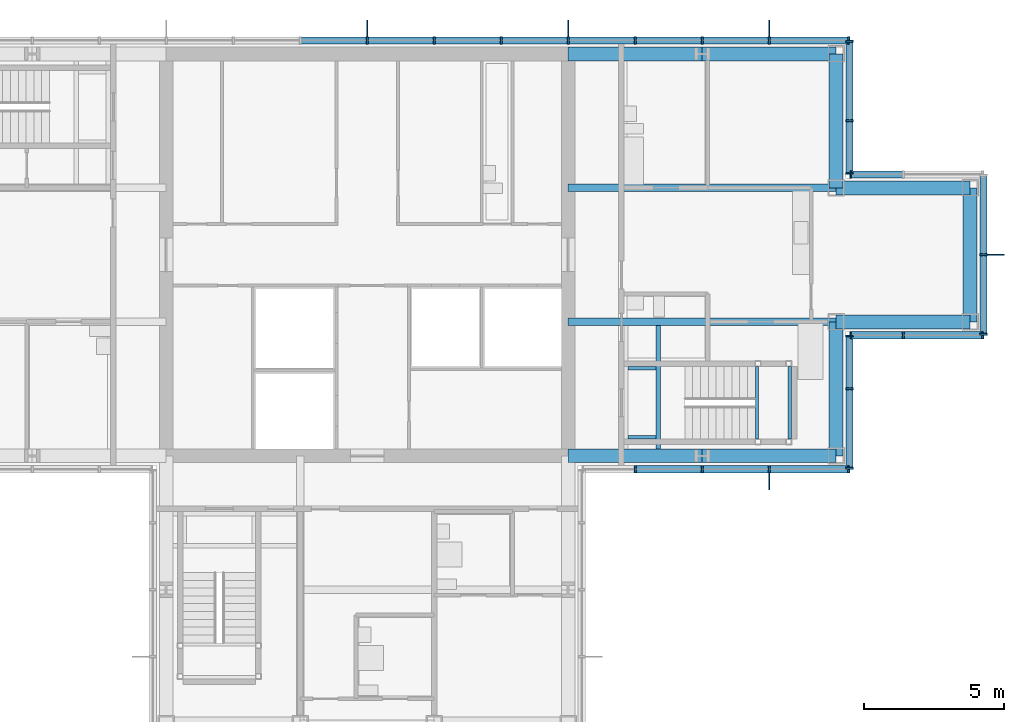
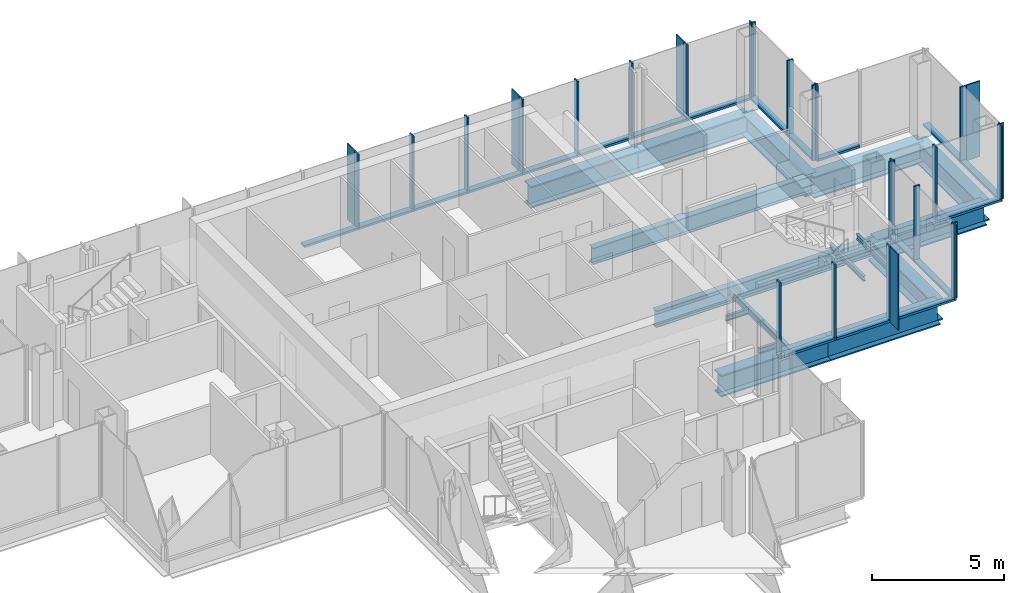
# One storey, part 7 of 15: 49 members, 16 beams, 7 elements without a shape of their own.
"""IFC4 building model written with IfcOpenShell, lengths in metres."""

from ifc_helpers import new_model, si_unit, direction, frame, origin, origin_2d, place, context, subcontext, project, spatial, rectangle, i_section, extrude, material, material_profile, profile_set, type_object, element, aggregate, save


model = new_model("IFC4")

# Units and contexts
model_context = context("Model", 3, precision=1e-05, world=origin(), true_north=direction((0.0, 1.0)))
body_context = subcontext(model_context, "Body", "Model", "MODEL_VIEW")
ifc_project = project(units=[si_unit("LENGTHUNIT", "METRE"), si_unit("AREAUNIT", "SQUARE_METRE"), si_unit("VOLUMEUNIT", "CUBIC_METRE"), si_unit("PLANEANGLEUNIT", "RADIAN"), si_unit("MASSUNIT", "GRAM", prefix="KILO")], contexts=[model_context])

# Site, building, storey
site_placement = place(None, origin())
site = spatial("IfcSite", under=ifc_project, at=site_placement, CompositionType="ELEMENT")
building_placement = place(site_placement, origin())
building = spatial("IfcBuilding", under=site, at=building_placement, Name="Kvirike Care Tower", CompositionType="ELEMENT")
storey_placement = place(building_placement, frame((0.0, 0.0, 240.0)))
storey = spatial("IfcBuildingStorey", under=building, at=storey_placement, Name="L66", CompositionType="ELEMENT", Elevation=240.0)

# Curtain wall, member
ifc_material_1 = material(Name="Anodised aluminium stick system", Category="aluminium")
curtain_wall_type = type_object("IfcCurtainWallType", Name="CW-D STICK CURTAIN WALL", PredefinedType="NOTDEFINED", material=ifc_material_1)
curtain_wall_1_placement = place(storey_placement, origin())
curtain_wall_1 = element("IfcCurtainWall", 1, at=curtain_wall_1_placement, inside=storey, type_object=curtain_wall_type, Name="Curtain wall L66 face 1", PredefinedType="NOTDEFINED")
ifc_material_2 = material(Name="Bronze anodised aluminium fin", Category="aluminium")
ifc_material_profile_1 = material_profile(ifc_material_2, rectangle(XDim=0.050048828125, YDim=0.60009765625, at=origin_2d()), Name="BRONZE FIN 600")
ifc_profile_set_1 = profile_set([ifc_material_profile_1], Name="Bronze anodised aluminium fin")
member_type_1 = type_object("IfcMemberType", Name="BRONZE FIN 600", PredefinedType="USERDEFINED", material=ifc_profile_set_1)
member_1_placement = place(storey_placement, frame((36.0, 27.889892578125, 0.0), z_axis=(0.0, 0.0, 1.0), x_axis=(1.0, 0.0, 0.0)))
member_1 = element("IfcMember", 2, at=member_1_placement, type_object=member_type_1, Name="Bronze fin L66 face 1.4", ObjectType="FIN", PredefinedType="USERDEFINED", context=body_context, shape_type="SweptSolid", body=[
    extrude(rectangle(XDim=0.050048828125, YDim=0.60009765625, at=origin_2d()), origin(), (0.0, 0.0, 1.0), 3.5),
])

curtain_wall_2_placement = place(storey_placement, origin())
curtain_wall_2 = element("IfcCurtainWall", 3, at=curtain_wall_2_placement, inside=storey, type_object=curtain_wall_type, Name="Curtain wall L66 face 4", PredefinedType="NOTDEFINED")
member_2_placement = place(storey_placement, frame((44.110107421875, 36.0, 0.0), z_axis=(0.0, 0.0, 1.0), x_axis=(0.0, 1.0, 0.0)))
member_2 = element("IfcMember", 4, at=member_2_placement, type_object=member_type_1, Name="Bronze fin L66 face 4.2", ObjectType="FIN", PredefinedType="USERDEFINED", context=body_context, shape_type="SweptSolid", body=[
    extrude(rectangle(XDim=0.050048828125, YDim=0.60009765625, at=origin_2d()), origin(), (0.0, 0.0, 1.0), 3.5),
])

# Curtain wall, members
curtain_wall_3_placement = place(storey_placement, origin())
curtain_wall_3 = element("IfcCurtainWall", 5, at=curtain_wall_3_placement, inside=storey, type_object=curtain_wall_type, Name="Curtain wall L66 face 7", PredefinedType="NOTDEFINED")
member_3_placement = place(storey_placement, frame((36.0, 44.110107421875, 0.0), z_axis=(0.0, 0.0, 1.0), x_axis=(-1.0, 0.0, 0.0)))
member_3 = element("IfcMember", 6, at=member_3_placement, type_object=member_type_1, Name="Bronze fin L66 face 7.2", ObjectType="FIN", PredefinedType="USERDEFINED", context=body_context, shape_type="SweptSolid", body=[
    extrude(rectangle(XDim=0.050048828125, YDim=0.60009765625, at=origin_2d()), origin(), (0.0, 0.0, 1.0), 3.5),
])
member_4_placement = place(storey_placement, frame((28.800048828125, 44.110107421875, 0.0), z_axis=(0.0, 0.0, 1.0), x_axis=(-1.0, 0.0, 0.0)))
member_4 = element("IfcMember", 7, at=member_4_placement, type_object=member_type_1, Name="Bronze fin L66 face 7.5", ObjectType="FIN", PredefinedType="USERDEFINED", context=body_context, shape_type="SweptSolid", body=[
    extrude(rectangle(XDim=0.050048828125, YDim=0.60009765625, at=origin_2d()), origin(), (0.0, 0.0, 1.0), 3.5),
])
member_5_placement = place(storey_placement, frame((21.60009765625, 44.110107421875, 0.0), z_axis=(0.0, 0.0, 1.0), x_axis=(-1.0, 0.0, 0.0)))
member_5 = element("IfcMember", 8, at=member_5_placement, type_object=member_type_1, Name="Bronze fin L66 face 7.8", ObjectType="FIN", PredefinedType="USERDEFINED", context=body_context, shape_type="SweptSolid", body=[
    extrude(rectangle(XDim=0.050048828125, YDim=0.60009765625, at=origin_2d()), origin(), (0.0, 0.0, 1.0), 3.5),
])

# Member
ifc_material_3 = material(Name="Bronze anodised aluminium mullion", Category="aluminium")
ifc_material_profile_2 = material_profile(ifc_material_3, rectangle(XDim=0.06494140625, YDim=0.260009765625, at=origin_2d()), Name="CW-D MULLION 65x260")
ifc_profile_set_2 = profile_set([ifc_material_profile_2], Name="Bronze anodised aluminium mullion")
member_type_2 = type_object("IfcMemberType", Name="CW-D MULLION 65x260", PredefinedType="MULLION", material=ifc_profile_set_2)
member_6_placement = place(storey_placement, frame((31.199951171875, 28.320068359375, 0.0), z_axis=(0.0, 0.0, 1.0), x_axis=(1.0, 0.0, 0.0)))
member_6 = element("IfcMember", 9, at=member_6_placement, type_object=member_type_2, Name="CW-D mullion L66 face 1.2", PredefinedType="MULLION", context=body_context, shape_type="SweptSolid", body=[
    extrude(rectangle(XDim=0.06494140625, YDim=0.260009765625, at=origin_2d()), origin(), (0.0, 0.0, 1.0), 3.5),
])

member_7_placement = place(storey_placement, frame((33.60009765625, 28.320068359375, 0.0), z_axis=(0.0, 0.0, 1.0), x_axis=(1.0, 0.0, 0.0)))
member_7 = element("IfcMember", 10, at=member_7_placement, type_object=member_type_2, Name="CW-D mullion L66 face 1.3", PredefinedType="MULLION", context=body_context, shape_type="SweptSolid", body=[
    extrude(rectangle(XDim=0.06494140625, YDim=0.260009765625, at=origin_2d()), origin(), (0.0, 0.0, 1.0), 3.5),
])

member_8_placement = place(storey_placement, frame((36.0, 28.320068359375, 0.0), z_axis=(0.0, 0.0, 1.0), x_axis=(1.0, 0.0, 0.0)))
member_8 = element("IfcMember", 11, at=member_8_placement, type_object=member_type_2, Name="CW-D mullion L66 face 1.4", PredefinedType="MULLION", context=body_context, shape_type="SweptSolid", body=[
    extrude(rectangle(XDim=0.06494140625, YDim=0.260009765625, at=origin_2d()), origin(), (0.0, 0.0, 1.0), 3.5),
])

member_9_placement = place(storey_placement, frame((38.847412109375, 28.320068359375, 0.0), z_axis=(0.0, 0.0, 1.0), x_axis=(1.0, 0.0, 0.0)))
member_9 = element("IfcMember", 12, at=member_9_placement, type_object=member_type_2, Name="CW-D mullion L66 face 1.5", PredefinedType="MULLION", context=body_context, shape_type="SweptSolid", body=[
    extrude(rectangle(XDim=0.06494140625, YDim=0.260009765625, at=origin_2d()), origin(), (0.0, 0.0, 1.0), 3.5),
])

# Curtain wall, members
curtain_wall_4_placement = place(storey_placement, origin())
curtain_wall_4 = element("IfcCurtainWall", 13, at=curtain_wall_4_placement, inside=storey, type_object=curtain_wall_type, Name="Curtain wall L66 face 2", PredefinedType="NOTDEFINED")
member_10_placement = place(storey_placement, frame((38.8798828125, 28.3525390625, 0.0), z_axis=(0.0, 0.0, 1.0), x_axis=(0.0, 1.0, 0.0)))
member_10 = element("IfcMember", 14, at=member_10_placement, type_object=member_type_2, Name="CW-D mullion L66 face 2.1", PredefinedType="MULLION", context=body_context, shape_type="SweptSolid", body=[
    extrude(rectangle(XDim=0.06494140625, YDim=0.260009765625, at=origin_2d()), origin(), (0.0, 0.0, 1.0), 3.5),
])
member_11_placement = place(storey_placement, frame((38.8798828125, 31.199951171875, 0.0), z_axis=(0.0, 0.0, 1.0), x_axis=(0.0, 1.0, 0.0)))
member_11 = element("IfcMember", 15, at=member_11_placement, type_object=member_type_2, Name="CW-D mullion L66 face 2.2", PredefinedType="MULLION", context=body_context, shape_type="SweptSolid", body=[
    extrude(rectangle(XDim=0.06494140625, YDim=0.260009765625, at=origin_2d()), origin(), (0.0, 0.0, 1.0), 3.5),
])
member_12_placement = place(storey_placement, frame((38.8798828125, 33.08740234375, 0.0), z_axis=(0.0, 0.0, 1.0), x_axis=(0.0, 1.0, 0.0)))
member_12 = element("IfcMember", 16, at=member_12_placement, type_object=member_type_2, Name="CW-D mullion L66 face 2.3", PredefinedType="MULLION", context=body_context, shape_type="SweptSolid", body=[
    extrude(rectangle(XDim=0.06494140625, YDim=0.260009765625, at=origin_2d()), origin(), (0.0, 0.0, 1.0), 3.5),
])

curtain_wall_5_placement = place(storey_placement, origin())
curtain_wall_5 = element("IfcCurtainWall", 17, at=curtain_wall_5_placement, inside=storey, type_object=curtain_wall_type, Name="Curtain wall L66 face 3", PredefinedType="NOTDEFINED")
member_13_placement = place(storey_placement, frame((38.91259765625, 33.1201171875, 0.0), z_axis=(0.0, 0.0, 1.0), x_axis=(1.0, 0.0, 0.0)))
member_13 = element("IfcMember", 18, at=member_13_placement, type_object=member_type_2, Name="CW-D mullion L66 face 3.1", PredefinedType="MULLION", context=body_context, shape_type="SweptSolid", body=[
    extrude(rectangle(XDim=0.06494140625, YDim=0.260009765625, at=origin_2d()), origin(), (0.0, 0.0, 1.0), 3.5),
])
member_14_placement = place(storey_placement, frame((40.800048828125, 33.1201171875, 0.0), z_axis=(0.0, 0.0, 1.0), x_axis=(1.0, 0.0, 0.0)))
member_14 = element("IfcMember", 19, at=member_14_placement, type_object=member_type_2, Name="CW-D mullion L66 face 3.2", PredefinedType="MULLION", context=body_context, shape_type="SweptSolid", body=[
    extrude(rectangle(XDim=0.06494140625, YDim=0.260009765625, at=origin_2d()), origin(), (0.0, 0.0, 1.0), 3.5),
])
member_15_placement = place(storey_placement, frame((43.6474609375, 33.1201171875, 0.0), z_axis=(0.0, 0.0, 1.0), x_axis=(1.0, 0.0, 0.0)))
member_15 = element("IfcMember", 20, at=member_15_placement, type_object=member_type_2, Name="CW-D mullion L66 face 3.3", PredefinedType="MULLION", context=body_context, shape_type="SweptSolid", body=[
    extrude(rectangle(XDim=0.06494140625, YDim=0.260009765625, at=origin_2d()), origin(), (0.0, 0.0, 1.0), 3.5),
])

# Member
member_16_placement = place(storey_placement, frame((43.679931640625, 33.152587890625, 0.0), z_axis=(0.0, 0.0, 1.0), x_axis=(0.0, 1.0, 0.0)))
member_16 = element("IfcMember", 21, at=member_16_placement, type_object=member_type_2, Name="CW-D mullion L66 face 4.1", PredefinedType="MULLION", context=body_context, shape_type="SweptSolid", body=[
    extrude(rectangle(XDim=0.06494140625, YDim=0.260009765625, at=origin_2d()), origin(), (0.0, 0.0, 1.0), 3.5),
])

member_17_placement = place(storey_placement, frame((43.679931640625, 36.0, 0.0), z_axis=(0.0, 0.0, 1.0), x_axis=(0.0, 1.0, 0.0)))
member_17 = element("IfcMember", 22, at=member_17_placement, type_object=member_type_2, Name="CW-D mullion L66 face 4.2", PredefinedType="MULLION", context=body_context, shape_type="SweptSolid", body=[
    extrude(rectangle(XDim=0.06494140625, YDim=0.260009765625, at=origin_2d()), origin(), (0.0, 0.0, 1.0), 3.5),
])

# Curtain wall, member
curtain_wall_6_placement = place(storey_placement, origin())
curtain_wall_6 = element("IfcCurtainWall", 23, at=curtain_wall_6_placement, inside=storey, type_object=curtain_wall_type, Name="Curtain wall L66 face 5", PredefinedType="NOTDEFINED")
member_18_placement = place(storey_placement, frame((38.91259765625, 38.8798828125, 0.0), z_axis=(0.0, 0.0, 1.0), x_axis=(-1.0, 0.0, 0.0)))
member_18 = element("IfcMember", 24, at=member_18_placement, type_object=member_type_2, Name="CW-D mullion L66 face 5.3", PredefinedType="MULLION", context=body_context, shape_type="SweptSolid", body=[
    extrude(rectangle(XDim=0.06494140625, YDim=0.260009765625, at=origin_2d()), origin(), (0.0, 0.0, 1.0), 3.5),
])

# Curtain wall, members
curtain_wall_7_placement = place(storey_placement, origin())
curtain_wall_7 = element("IfcCurtainWall", 25, at=curtain_wall_7_placement, inside=storey, type_object=curtain_wall_type, Name="Curtain wall L66 face 6", PredefinedType="NOTDEFINED")
member_19_placement = place(storey_placement, frame((38.8798828125, 38.91259765625, 0.0), z_axis=(0.0, 0.0, 1.0), x_axis=(0.0, 1.0, 0.0)))
member_19 = element("IfcMember", 26, at=member_19_placement, type_object=member_type_2, Name="CW-D mullion L66 face 6.1", PredefinedType="MULLION", context=body_context, shape_type="SweptSolid", body=[
    extrude(rectangle(XDim=0.06494140625, YDim=0.260009765625, at=origin_2d()), origin(), (0.0, 0.0, 1.0), 3.5),
])
member_20_placement = place(storey_placement, frame((38.8798828125, 40.800048828125, 0.0), z_axis=(0.0, 0.0, 1.0), x_axis=(0.0, 1.0, 0.0)))
member_20 = element("IfcMember", 27, at=member_20_placement, type_object=member_type_2, Name="CW-D mullion L66 face 6.2", PredefinedType="MULLION", context=body_context, shape_type="SweptSolid", body=[
    extrude(rectangle(XDim=0.06494140625, YDim=0.260009765625, at=origin_2d()), origin(), (0.0, 0.0, 1.0), 3.5),
])
member_21_placement = place(storey_placement, frame((38.8798828125, 43.6474609375, 0.0), z_axis=(0.0, 0.0, 1.0), x_axis=(0.0, 1.0, 0.0)))
member_21 = element("IfcMember", 28, at=member_21_placement, type_object=member_type_2, Name="CW-D mullion L66 face 6.3", PredefinedType="MULLION", context=body_context, shape_type="SweptSolid", body=[
    extrude(rectangle(XDim=0.06494140625, YDim=0.260009765625, at=origin_2d()), origin(), (0.0, 0.0, 1.0), 3.5),
])

# Member
member_22_placement = place(storey_placement, frame((38.847412109375, 43.679931640625, 0.0), z_axis=(0.0, 0.0, 1.0), x_axis=(-1.0, 0.0, 0.0)))
member_22 = element("IfcMember", 29, at=member_22_placement, type_object=member_type_2, Name="CW-D mullion L66 face 7.1", PredefinedType="MULLION", context=body_context, shape_type="SweptSolid", body=[
    extrude(rectangle(XDim=0.06494140625, YDim=0.260009765625, at=origin_2d()), origin(), (0.0, 0.0, 1.0), 3.5),
])

member_23_placement = place(storey_placement, frame((36.0, 43.679931640625, 0.0), z_axis=(0.0, 0.0, 1.0), x_axis=(-1.0, 0.0, 0.0)))
member_23 = element("IfcMember", 30, at=member_23_placement, type_object=member_type_2, Name="CW-D mullion L66 face 7.2", PredefinedType="MULLION", context=body_context, shape_type="SweptSolid", body=[
    extrude(rectangle(XDim=0.06494140625, YDim=0.260009765625, at=origin_2d()), origin(), (0.0, 0.0, 1.0), 3.5),
])

member_24_placement = place(storey_placement, frame((33.60009765625, 43.679931640625, 0.0), z_axis=(0.0, 0.0, 1.0), x_axis=(-1.0, 0.0, 0.0)))
member_24 = element("IfcMember", 31, at=member_24_placement, type_object=member_type_2, Name="CW-D mullion L66 face 7.3", PredefinedType="MULLION", context=body_context, shape_type="SweptSolid", body=[
    extrude(rectangle(XDim=0.06494140625, YDim=0.260009765625, at=origin_2d()), origin(), (0.0, 0.0, 1.0), 3.5),
])

member_25_placement = place(storey_placement, frame((31.199951171875, 43.679931640625, 0.0), z_axis=(0.0, 0.0, 1.0), x_axis=(-1.0, 0.0, 0.0)))
member_25 = element("IfcMember", 32, at=member_25_placement, type_object=member_type_2, Name="CW-D mullion L66 face 7.4", PredefinedType="MULLION", context=body_context, shape_type="SweptSolid", body=[
    extrude(rectangle(XDim=0.06494140625, YDim=0.260009765625, at=origin_2d()), origin(), (0.0, 0.0, 1.0), 3.5),
])

member_26_placement = place(storey_placement, frame((28.800048828125, 43.679931640625, 0.0), z_axis=(0.0, 0.0, 1.0), x_axis=(-1.0, 0.0, 0.0)))
member_26 = element("IfcMember", 33, at=member_26_placement, type_object=member_type_2, Name="CW-D mullion L66 face 7.5", PredefinedType="MULLION", context=body_context, shape_type="SweptSolid", body=[
    extrude(rectangle(XDim=0.06494140625, YDim=0.260009765625, at=origin_2d()), origin(), (0.0, 0.0, 1.0), 3.5),
])

member_27_placement = place(storey_placement, frame((26.39990234375, 43.679931640625, 0.0), z_axis=(0.0, 0.0, 1.0), x_axis=(-1.0, 0.0, 0.0)))
member_27 = element("IfcMember", 34, at=member_27_placement, type_object=member_type_2, Name="CW-D mullion L66 face 7.6", PredefinedType="MULLION", context=body_context, shape_type="SweptSolid", body=[
    extrude(rectangle(XDim=0.06494140625, YDim=0.260009765625, at=origin_2d()), origin(), (0.0, 0.0, 1.0), 3.5),
])

member_28_placement = place(storey_placement, frame((24.0, 43.679931640625, 0.0), z_axis=(0.0, 0.0, 1.0), x_axis=(-1.0, 0.0, 0.0)))
member_28 = element("IfcMember", 35, at=member_28_placement, type_object=member_type_2, Name="CW-D mullion L66 face 7.7", PredefinedType="MULLION", context=body_context, shape_type="SweptSolid", body=[
    extrude(rectangle(XDim=0.06494140625, YDim=0.260009765625, at=origin_2d()), origin(), (0.0, 0.0, 1.0), 3.5),
])

member_29_placement = place(storey_placement, frame((21.60009765625, 43.679931640625, 0.0), z_axis=(0.0, 0.0, 1.0), x_axis=(-1.0, 0.0, 0.0)))
member_29 = element("IfcMember", 36, at=member_29_placement, type_object=member_type_2, Name="CW-D mullion L66 face 7.8", PredefinedType="MULLION", context=body_context, shape_type="SweptSolid", body=[
    extrude(rectangle(XDim=0.06494140625, YDim=0.260009765625, at=origin_2d()), origin(), (0.0, 0.0, 1.0), 3.5),
])

ifc_material_4 = material(Name="Bronze anodised aluminium transom", Category="aluminium")
ifc_material_profile_3 = material_profile(ifc_material_4, rectangle(XDim=0.260009765625, YDim=0.10009765625, at=origin_2d()), Name="CW-D TRANSOM 260x100")
ifc_profile_set_3 = profile_set([ifc_material_profile_3], Name="Bronze anodised aluminium transom")
member_type_3 = type_object("IfcMemberType", Name="CW-D TRANSOM 260x100", PredefinedType="USERDEFINED", material=ifc_profile_set_3)
member_30_placement = place(storey_placement, frame((31.232421875, 28.320068359375, 0.050048828125), z_axis=(1.0, 0.0, 0.0), x_axis=(0.0, 1.0, 0.0)))
member_30 = element("IfcMember", 37, at=member_30_placement, type_object=member_type_3, Name="CW-D sill transom L66 face 1.2", ObjectType="TRANSOM", PredefinedType="USERDEFINED", context=body_context, shape_type="SweptSolid", body=[
    extrude(rectangle(XDim=0.260009765625, YDim=0.10009765625, at=origin_2d()), origin(), (0.0, 0.0, 1.0), 2.3349609375),
])

member_31_placement = place(storey_placement, frame((33.632568359375, 28.320068359375, 0.050048828125), z_axis=(1.0, 0.0, 0.0), x_axis=(0.0, 1.0, 0.0)))
member_31 = element("IfcMember", 38, at=member_31_placement, type_object=member_type_3, Name="CW-D sill transom L66 face 1.3", ObjectType="TRANSOM", PredefinedType="USERDEFINED", context=body_context, shape_type="SweptSolid", body=[
    extrude(rectangle(XDim=0.260009765625, YDim=0.10009765625, at=origin_2d()), origin(), (0.0, 0.0, 1.0), 2.3349609375),
])

member_32_placement = place(storey_placement, frame((36.032470703125, 28.320068359375, 0.050048828125), z_axis=(1.0, 0.0, 0.0), x_axis=(0.0, 1.0, 0.0)))
member_32 = element("IfcMember", 39, at=member_32_placement, type_object=member_type_3, Name="CW-D sill transom L66 face 1.4", ObjectType="TRANSOM", PredefinedType="USERDEFINED", context=body_context, shape_type="SweptSolid", body=[
    extrude(rectangle(XDim=0.260009765625, YDim=0.10009765625, at=origin_2d()), origin(), (0.0, 0.0, 1.0), 2.782470703125),
])

aggregate(curtain_wall_1, [member_6, member_7, member_8, member_1, member_9, member_30, member_31, member_32])

member_33_placement = place(storey_placement, frame((38.8798828125, 28.385009765625, 0.050048828125), z_axis=(0.0, 1.0, 0.0), x_axis=(-1.0, 0.0, 0.0)))
member_33 = element("IfcMember", 40, at=member_33_placement, type_object=member_type_3, Name="CW-D sill transom L66 face 2.1", ObjectType="TRANSOM", PredefinedType="USERDEFINED", context=body_context, shape_type="SweptSolid", body=[
    extrude(rectangle(XDim=0.260009765625, YDim=0.10009765625, at=origin_2d()), origin(), (0.0, 0.0, 1.0), 2.782470703125),
])

member_34_placement = place(storey_placement, frame((38.8798828125, 31.232421875, 0.050048828125), z_axis=(0.0, 1.0, 0.0), x_axis=(-1.0, 0.0, 0.0)))
member_34 = element("IfcMember", 41, at=member_34_placement, type_object=member_type_3, Name="CW-D sill transom L66 face 2.2", ObjectType="TRANSOM", PredefinedType="USERDEFINED", context=body_context, shape_type="SweptSolid", body=[
    extrude(rectangle(XDim=0.260009765625, YDim=0.10009765625, at=origin_2d()), origin(), (0.0, 0.0, 1.0), 1.822509765625),
])

aggregate(curtain_wall_4, [member_10, member_11, member_12, member_33, member_34])

member_35_placement = place(storey_placement, frame((38.945068359375, 33.1201171875, 0.050048828125), z_axis=(1.0, 0.0, 0.0), x_axis=(0.0, 1.0, 0.0)))
member_35 = element("IfcMember", 42, at=member_35_placement, type_object=member_type_3, Name="CW-D sill transom L66 face 3.1", ObjectType="TRANSOM", PredefinedType="USERDEFINED", context=body_context, shape_type="SweptSolid", body=[
    extrude(rectangle(XDim=0.260009765625, YDim=0.10009765625, at=origin_2d()), origin(), (0.0, 0.0, 1.0), 1.822509765625),
])

member_36_placement = place(storey_placement, frame((40.83251953125, 33.1201171875, 0.050048828125), z_axis=(1.0, 0.0, 0.0), x_axis=(0.0, 1.0, 0.0)))
member_36 = element("IfcMember", 43, at=member_36_placement, type_object=member_type_3, Name="CW-D sill transom L66 face 3.2", ObjectType="TRANSOM", PredefinedType="USERDEFINED", context=body_context, shape_type="SweptSolid", body=[
    extrude(rectangle(XDim=0.260009765625, YDim=0.10009765625, at=origin_2d()), origin(), (0.0, 0.0, 1.0), 2.782470703125),
])

aggregate(curtain_wall_5, [member_13, member_14, member_15, member_35, member_36])

member_37_placement = place(storey_placement, frame((43.679931640625, 33.18505859375, 0.050048828125), z_axis=(0.0, 1.0, 0.0), x_axis=(-1.0, 0.0, 0.0)))
member_37 = element("IfcMember", 44, at=member_37_placement, type_object=member_type_3, Name="CW-D sill transom L66 face 4.1", ObjectType="TRANSOM", PredefinedType="USERDEFINED", context=body_context, shape_type="SweptSolid", body=[
    extrude(rectangle(XDim=0.260009765625, YDim=0.10009765625, at=origin_2d()), origin(), (0.0, 0.0, 1.0), 2.782470703125),
])

member_38_placement = place(storey_placement, frame((43.679931640625, 36.032470703125, 0.050048828125), z_axis=(0.0, 1.0, 0.0), x_axis=(-1.0, 0.0, 0.0)))
member_38 = element("IfcMember", 45, at=member_38_placement, type_object=member_type_3, Name="CW-D sill transom L66 face 4.2", ObjectType="TRANSOM", PredefinedType="USERDEFINED", context=body_context, shape_type="SweptSolid", body=[
    extrude(rectangle(XDim=0.260009765625, YDim=0.10009765625, at=origin_2d()), origin(), (0.0, 0.0, 1.0), 2.782470703125),
])

aggregate(curtain_wall_2, [member_16, member_17, member_2, member_37, member_38])

member_39_placement = place(storey_placement, frame((40.767578125, 38.8798828125, 0.050048828125), z_axis=(-1.0, 0.0, 0.0), x_axis=(0.0, -1.0, 0.0)))
member_39 = element("IfcMember", 46, at=member_39_placement, type_object=member_type_3, Name="CW-D sill transom L66 face 5.2", ObjectType="TRANSOM", PredefinedType="USERDEFINED", context=body_context, shape_type="SweptSolid", body=[
    extrude(rectangle(XDim=0.260009765625, YDim=0.10009765625, at=origin_2d()), origin(), (0.0, 0.0, 1.0), 1.822509765625),
])

aggregate(curtain_wall_6, [member_18, member_39])

member_40_placement = place(storey_placement, frame((38.8798828125, 38.945068359375, 0.050048828125), z_axis=(0.0, 1.0, 0.0), x_axis=(-1.0, 0.0, 0.0)))
member_40 = element("IfcMember", 47, at=member_40_placement, type_object=member_type_3, Name="CW-D sill transom L66 face 6.1", ObjectType="TRANSOM", PredefinedType="USERDEFINED", context=body_context, shape_type="SweptSolid", body=[
    extrude(rectangle(XDim=0.260009765625, YDim=0.10009765625, at=origin_2d()), origin(), (0.0, 0.0, 1.0), 1.822509765625),
])

member_41_placement = place(storey_placement, frame((38.8798828125, 40.83251953125, 0.050048828125), z_axis=(0.0, 1.0, 0.0), x_axis=(-1.0, 0.0, 0.0)))
member_41 = element("IfcMember", 48, at=member_41_placement, type_object=member_type_3, Name="CW-D sill transom L66 face 6.2", ObjectType="TRANSOM", PredefinedType="USERDEFINED", context=body_context, shape_type="SweptSolid", body=[
    extrude(rectangle(XDim=0.260009765625, YDim=0.10009765625, at=origin_2d()), origin(), (0.0, 0.0, 1.0), 2.782470703125),
])

aggregate(curtain_wall_7, [member_19, member_20, member_21, member_40, member_41])

member_42_placement = place(storey_placement, frame((38.81494140625, 43.679931640625, 0.050048828125), z_axis=(-1.0, 0.0, 0.0), x_axis=(0.0, -1.0, 0.0)))
member_42 = element("IfcMember", 49, at=member_42_placement, type_object=member_type_3, Name="CW-D sill transom L66 face 7.1", ObjectType="TRANSOM", PredefinedType="USERDEFINED", context=body_context, shape_type="SweptSolid", body=[
    extrude(rectangle(XDim=0.260009765625, YDim=0.10009765625, at=origin_2d()), origin(), (0.0, 0.0, 1.0), 2.782470703125),
])

member_43_placement = place(storey_placement, frame((35.967529296875, 43.679931640625, 0.050048828125), z_axis=(-1.0, 0.0, 0.0), x_axis=(0.0, -1.0, 0.0)))
member_43 = element("IfcMember", 50, at=member_43_placement, type_object=member_type_3, Name="CW-D sill transom L66 face 7.2", ObjectType="TRANSOM", PredefinedType="USERDEFINED", context=body_context, shape_type="SweptSolid", body=[
    extrude(rectangle(XDim=0.260009765625, YDim=0.10009765625, at=origin_2d()), origin(), (0.0, 0.0, 1.0), 2.3349609375),
])

member_44_placement = place(storey_placement, frame((33.5673828125, 43.679931640625, 0.050048828125), z_axis=(-1.0, 0.0, 0.0), x_axis=(0.0, -1.0, 0.0)))
member_44 = element("IfcMember", 51, at=member_44_placement, type_object=member_type_3, Name="CW-D sill transom L66 face 7.3", ObjectType="TRANSOM", PredefinedType="USERDEFINED", context=body_context, shape_type="SweptSolid", body=[
    extrude(rectangle(XDim=0.260009765625, YDim=0.10009765625, at=origin_2d()), origin(), (0.0, 0.0, 1.0), 2.3349609375),
])

member_45_placement = place(storey_placement, frame((31.16748046875, 43.679931640625, 0.050048828125), z_axis=(-1.0, 0.0, 0.0), x_axis=(0.0, -1.0, 0.0)))
member_45 = element("IfcMember", 52, at=member_45_placement, type_object=member_type_3, Name="CW-D sill transom L66 face 7.4", ObjectType="TRANSOM", PredefinedType="USERDEFINED", context=body_context, shape_type="SweptSolid", body=[
    extrude(rectangle(XDim=0.260009765625, YDim=0.10009765625, at=origin_2d()), origin(), (0.0, 0.0, 1.0), 2.3349609375),
])

member_46_placement = place(storey_placement, frame((28.767578125, 43.679931640625, 0.050048828125), z_axis=(-1.0, 0.0, 0.0), x_axis=(0.0, -1.0, 0.0)))
member_46 = element("IfcMember", 53, at=member_46_placement, type_object=member_type_3, Name="CW-D sill transom L66 face 7.5", ObjectType="TRANSOM", PredefinedType="USERDEFINED", context=body_context, shape_type="SweptSolid", body=[
    extrude(rectangle(XDim=0.260009765625, YDim=0.10009765625, at=origin_2d()), origin(), (0.0, 0.0, 1.0), 2.3349609375),
])

member_47_placement = place(storey_placement, frame((26.367431640625, 43.679931640625, 0.050048828125), z_axis=(-1.0, 0.0, 0.0), x_axis=(0.0, -1.0, 0.0)))
member_47 = element("IfcMember", 54, at=member_47_placement, type_object=member_type_3, Name="CW-D sill transom L66 face 7.6", ObjectType="TRANSOM", PredefinedType="USERDEFINED", context=body_context, shape_type="SweptSolid", body=[
    extrude(rectangle(XDim=0.260009765625, YDim=0.10009765625, at=origin_2d()), origin(), (0.0, 0.0, 1.0), 2.3349609375),
])

member_48_placement = place(storey_placement, frame((23.967529296875, 43.679931640625, 0.050048828125), z_axis=(-1.0, 0.0, 0.0), x_axis=(0.0, -1.0, 0.0)))
member_48 = element("IfcMember", 55, at=member_48_placement, type_object=member_type_3, Name="CW-D sill transom L66 face 7.7", ObjectType="TRANSOM", PredefinedType="USERDEFINED", context=body_context, shape_type="SweptSolid", body=[
    extrude(rectangle(XDim=0.260009765625, YDim=0.10009765625, at=origin_2d()), origin(), (0.0, 0.0, 1.0), 2.3349609375),
])

member_49_placement = place(storey_placement, frame((21.5673828125, 43.679931640625, 0.050048828125), z_axis=(-1.0, 0.0, 0.0), x_axis=(0.0, -1.0, 0.0)))
member_49 = element("IfcMember", 56, at=member_49_placement, type_object=member_type_3, Name="CW-D sill transom L66 face 7.8", ObjectType="TRANSOM", PredefinedType="USERDEFINED", context=body_context, shape_type="SweptSolid", body=[
    extrude(rectangle(XDim=0.260009765625, YDim=0.10009765625, at=origin_2d()), origin(), (0.0, 0.0, 1.0), 2.3349609375),
])

aggregate(curtain_wall_3, [member_22, member_23, member_3, member_24, member_25, member_26, member_4, member_27, member_28, member_29, member_5, member_42, member_43, member_44, member_45, member_46, member_47, member_48, member_49])

# Beams
ifc_material_5 = material(Name="Steel S355", Category="steel")
ifc_material_profile_4 = material_profile(ifc_material_5, i_section(OverallWidth=0.26806640625, OverallDepth=0.77001953125, WebThickness=0.015625, FlangeThickness=0.025390625, FilletRadius=0.01708984375, at=origin_2d()), Name="IPE 750x196")
ifc_profile_set_4 = profile_set([ifc_material_profile_4], Name="Steel S355")
beam_type_1 = type_object("IfcBeamType", Name="FLOOR BEAM IPE 750x196", PredefinedType="BEAM", material=ifc_profile_set_4)
for number, where, z_axis, x_axis, name in (
    (57, (28.800048828125, 33.60009765625, -0.554931640625), (1.0, 0.0, 0.0), (0.0, 1.0, 0.0), "Floor Beam H9-H11 L66"),
    (58, (28.800048828125, 38.39990234375, -0.554931640625), (1.0, 0.0, 0.0), (0.0, 1.0, 0.0), "Floor Beam J9-J11 L66"),
):
    element("IfcBeam", number, at=place(storey_placement, frame(where, z_axis=z_axis, x_axis=x_axis)), inside=storey, type_object=beam_type_1, Name=name, PredefinedType="BEAM", context=body_context, shape_type="SweptSolid", body=[
        extrude(i_section(OverallWidth=0.26806640625, OverallDepth=0.77001953125, WebThickness=0.015625, FlangeThickness=0.025390625, FilletRadius=0.01708984375, at=origin_2d()), origin(), (0.0, 0.0, 1.0), 9.599853515625),
    ])
ifc_material_6 = material(Name="Steel S355", Category="steel")
ifc_material_profile_5 = material_profile(ifc_material_6, i_section(OverallWidth=0.5, OverallDepth=1.0, WebThickness=0.030029296875, FlangeThickness=0.06005859375, at=origin_2d()), Name="PG 1000x500x30x60")
ifc_profile_set_5 = profile_set([ifc_material_profile_5], Name="Steel S355")
beam_type_2 = type_object("IfcBeamType", Name="SPANDREL PG 1000x500x30x60", PredefinedType="SPANDREL", material=ifc_profile_set_5)
beam_1_placement = place(storey_placement, frame((28.800048828125, 28.800048828125, -0.669921875), z_axis=(1.0, 0.0, 0.0), x_axis=(0.0, 1.0, 0.0)))
element("IfcBeam", 59, at=beam_1_placement, inside=storey, type_object=beam_type_2, Name="Spandrel G9-G10 L66", PredefinedType="SPANDREL", context=body_context, shape_type="SweptSolid", body=[
    extrude(i_section(OverallWidth=0.5, OverallDepth=1.0, WebThickness=0.030029296875, FlangeThickness=0.06005859375, at=origin_2d()), origin(), (0.0, 0.0, 1.0), 4.800048828125),
])
beam_2_placement = place(storey_placement, frame((33.60009765625, 28.800048828125, -0.669921875), z_axis=(1.0, 0.0, 0.0), x_axis=(0.0, 1.0, 0.0)))
element("IfcBeam", 60, at=beam_2_placement, inside=storey, type_object=beam_type_2, Name="Spandrel G10-G11 L66", PredefinedType="SPANDREL", context=body_context, shape_type="SweptSolid", body=[
    extrude(i_section(OverallWidth=0.5, OverallDepth=1.0, WebThickness=0.030029296875, FlangeThickness=0.06005859375, at=origin_2d()), origin(), (0.0, 0.0, 1.0), 4.7998046875),
])
for number, where, z_axis, x_axis, name in (
    (61, (38.39990234375, 33.60009765625, -0.669921875), (1.0, 0.0, 0.0), (0.0, 1.0, 0.0), "Spandrel H11-H12 L66"),
    (62, (38.39990234375, 38.39990234375, -0.669921875), (1.0, 0.0, 0.0), (0.0, 1.0, 0.0), "Spandrel J11-J12 L66"),
    (63, (28.800048828125, 43.199951171875, -0.669921875), (1.0, 0.0, 0.0), (0.0, 1.0, 0.0), "Spandrel K9-K10 L66"),
):
    element("IfcBeam", number, at=place(storey_placement, frame(where, z_axis=z_axis, x_axis=x_axis)), inside=storey, type_object=beam_type_2, Name=name, PredefinedType="SPANDREL", context=body_context, shape_type="SweptSolid", body=[
        extrude(i_section(OverallWidth=0.5, OverallDepth=1.0, WebThickness=0.030029296875, FlangeThickness=0.06005859375, at=origin_2d()), origin(), (0.0, 0.0, 1.0), 4.800048828125),
    ])
beam_3_placement = place(storey_placement, frame((33.60009765625, 43.199951171875, -0.669921875), z_axis=(1.0, 0.0, 0.0), x_axis=(0.0, 1.0, 0.0)))
element("IfcBeam", 64, at=beam_3_placement, inside=storey, type_object=beam_type_2, Name="Spandrel K10-K11 L66", PredefinedType="SPANDREL", context=body_context, shape_type="SweptSolid", body=[
    extrude(i_section(OverallWidth=0.5, OverallDepth=1.0, WebThickness=0.030029296875, FlangeThickness=0.06005859375, at=origin_2d()), origin(), (0.0, 0.0, 1.0), 4.7998046875),
])
for number, where, z_axis, x_axis, name in (
    (65, (38.39990234375, 28.800048828125, -0.669921875), (0.0, 1.0, 0.0), (-1.0, 0.0, 0.0), "Spandrel G11-H11 L66"),
    (66, (38.39990234375, 38.39990234375, -0.669921875), (0.0, 1.0, 0.0), (-1.0, 0.0, 0.0), "Spandrel J11-K11 L66"),
):
    element("IfcBeam", number, at=place(storey_placement, frame(where, z_axis=z_axis, x_axis=x_axis)), inside=storey, type_object=beam_type_2, Name=name, PredefinedType="SPANDREL", context=body_context, shape_type="SweptSolid", body=[
        extrude(i_section(OverallWidth=0.5, OverallDepth=1.0, WebThickness=0.030029296875, FlangeThickness=0.06005859375, at=origin_2d()), origin(), (0.0, 0.0, 1.0), 4.800048828125),
    ])
beam_4_placement = place(storey_placement, frame((43.199951171875, 33.60009765625, -0.669921875), z_axis=(0.0, 1.0, 0.0), x_axis=(-1.0, 0.0, 0.0)))
element("IfcBeam", 67, at=beam_4_placement, inside=storey, type_object=beam_type_2, Name="Spandrel H12-J12 L66", PredefinedType="SPANDREL", context=body_context, shape_type="SweptSolid", body=[
    extrude(i_section(OverallWidth=0.5, OverallDepth=1.0, WebThickness=0.030029296875, FlangeThickness=0.06005859375, at=origin_2d()), origin(), (0.0, 0.0, 1.0), 4.7998046875),
])
ifc_material_7 = material(Name="Steel S355", Category="steel")
ifc_material_profile_6 = material_profile(ifc_material_7, i_section(OverallWidth=0.1201171875, OverallDepth=0.239990234375, WebThickness=0.006103515625, FlangeThickness=0.009765625, FilletRadius=0.014892578125, at=origin_2d()), Name="IPE 240")
ifc_profile_set_6 = profile_set([ifc_material_profile_6], Name="Steel S355")
beam_type_3 = type_object("IfcBeamType", Name="STAIR LANDING BEAM IPE 240", PredefinedType="BEAM", material=ifc_profile_set_6)
for number, where, z_axis, x_axis, name in (
    (68, (36.739990234375, 29.39990234375, 1.429931640625), (0.0, 1.0, 0.0), (-1.0, 0.0, 0.0), "Stair 2 landing beam back L66"),
    (69, (35.56005859375, 29.39990234375, 1.429931640625), (0.0, 1.0, 0.0), (-1.0, 0.0, 0.0), "Stair 2 landing beam front L66"),
):
    element("IfcBeam", number, at=place(storey_placement, frame(where, z_axis=z_axis, x_axis=x_axis)), inside=storey, type_object=beam_type_3, Name=name, PredefinedType="BEAM", context=body_context, shape_type="SweptSolid", body=[
        extrude(i_section(OverallWidth=0.1201171875, OverallDepth=0.239990234375, WebThickness=0.006103515625, FlangeThickness=0.009765625, FilletRadius=0.014892578125, at=origin_2d()), origin(), (0.0, 0.0, 1.0), 2.60009765625),
    ])
for number, where, z_axis, x_axis, name in (
    (70, (31.949951171875, 29.4599609375, -0.320068359375), (-1.0, 0.0, 0.0), (0.0, -1.0, 0.0), "Stair 2 landing edge beam 1 L66"),
    (71, (31.949951171875, 31.93994140625, -0.320068359375), (-1.0, 0.0, 0.0), (0.0, -1.0, 0.0), "Stair 2 landing edge beam 2 L66"),
):
    element("IfcBeam", number, at=place(storey_placement, frame(where, z_axis=z_axis, x_axis=x_axis)), inside=storey, type_object=beam_type_3, Name=name, PredefinedType="BEAM", context=body_context, shape_type="SweptSolid", body=[
        extrude(i_section(OverallWidth=0.1201171875, OverallDepth=0.239990234375, WebThickness=0.006103515625, FlangeThickness=0.009765625, FilletRadius=0.014892578125, at=origin_2d()), origin(), (0.0, 0.0, 1.0), 1.0),
    ])
ifc_material_8 = material(Name="Steel S355", Category="steel")
ifc_material_profile_7 = material_profile(ifc_material_8, i_section(OverallWidth=0.14990234375, OverallDepth=0.300048828125, WebThickness=0.007080078125, FlangeThickness=0.0107421875, FilletRadius=0.014892578125, at=origin_2d()), Name="IPE 300")
ifc_profile_set_7 = profile_set([ifc_material_profile_7], Name="Steel S355")
beam_type_4 = type_object("IfcBeamType", Name="STAIR TRIMMER IPE 300", PredefinedType="BEAM", material=ifc_profile_set_7)
beam_5_placement = place(storey_placement, frame((32.02490234375, 29.050048828125, -0.35009765625), z_axis=(0.0, 1.0, 0.0), x_axis=(-1.0, 0.0, 0.0)))
element("IfcBeam", 72, at=beam_5_placement, inside=storey, type_object=beam_type_4, Name="Stair 2 trimmer 1 L66", PredefinedType="BEAM", context=body_context, shape_type="SweptSolid", body=[
    extrude(i_section(OverallWidth=0.14990234375, OverallDepth=0.300048828125, WebThickness=0.007080078125, FlangeThickness=0.0107421875, FilletRadius=0.014892578125, at=origin_2d()), origin(), (0.0, 0.0, 1.0), 4.416015625),
])

save(model, "model.ifc")
